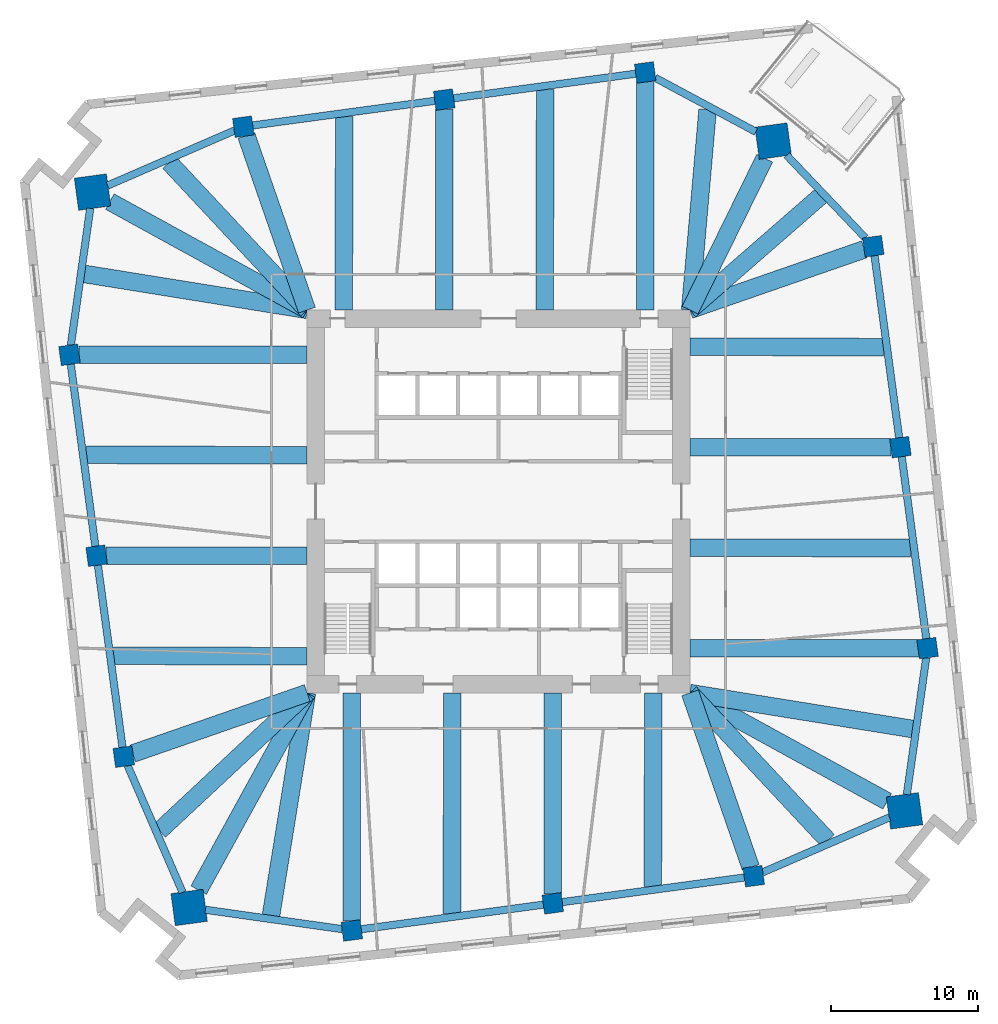
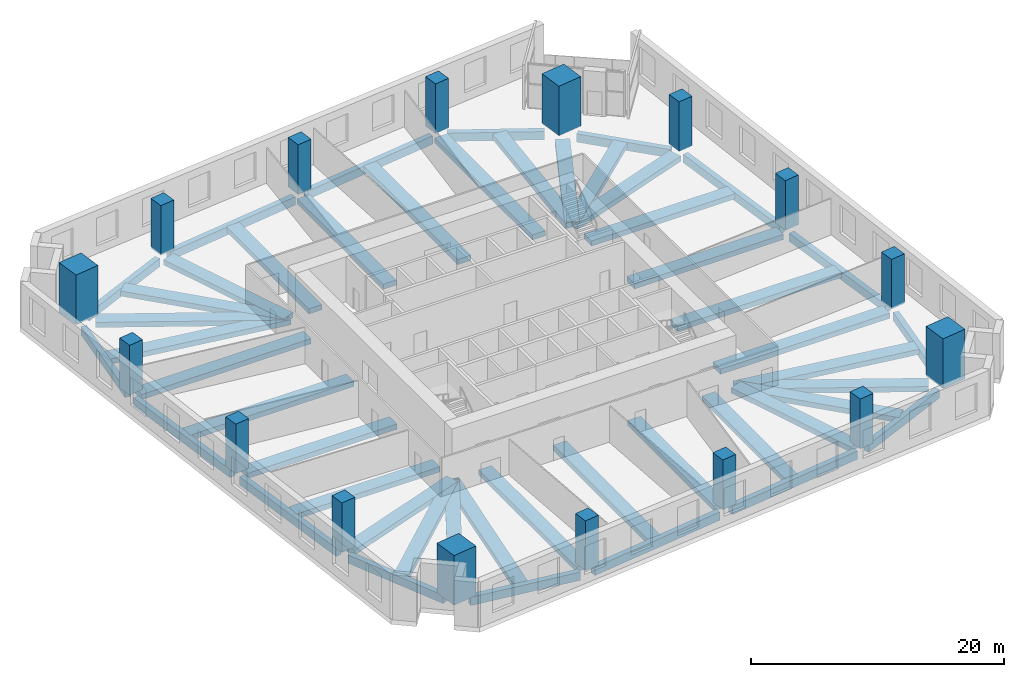
# One storey, part 1 of 10: 48 beams, 16 columns.
"""IFC4 building model written with IfcOpenShell, lengths in metres."""

from ifc_helpers import new_model, si_unit, direction, frame, origin, origin_2d, place, context, subcontext, project, spatial, rectangle, extrude, material, material_profile, profile_set, type_object, element, save


model = new_model("IFC4")

# Units and contexts
model_context = context("Model", 3, precision=1e-05, world=origin(), true_north=direction((0.0, 1.0)))
body_context = subcontext(model_context, "Body", "Model", "MODEL_VIEW")
ifc_project = project(units=[si_unit("LENGTHUNIT", "METRE"), si_unit("AREAUNIT", "SQUARE_METRE"), si_unit("VOLUMEUNIT", "CUBIC_METRE"), si_unit("PLANEANGLEUNIT", "RADIAN"), si_unit("MASSUNIT", "GRAM", prefix="KILO")], contexts=[model_context])

# Site, building, storey
site_placement = place(None, origin())
site = spatial("IfcSite", under=ifc_project, at=site_placement, CompositionType="ELEMENT")
building_placement = place(site_placement, origin())
building = spatial("IfcBuilding", under=site, at=building_placement, Name="Dilmun Exchange Tower", CompositionType="ELEMENT")
storey_placement = place(building_placement, frame((0.0, 0.0, 46.5)))
storey = spatial("IfcBuildingStorey", under=building, at=storey_placement, Name="L10", CompositionType="ELEMENT", Elevation=46.5)

# Columns
ifc_material_1 = material(Name="Concrete C80/95", Category="concrete")
ifc_material_profile_1 = material_profile(ifc_material_1, rectangle(XDim=2.199951171875, YDim=2.199951171875, at=origin_2d()), Name="2200 x 2200")
ifc_profile_set_1 = profile_set([ifc_material_profile_1], Name="Concrete C80/95")
column_type_1 = type_object("IfcColumnType", Name="RC mega column 2200 x 2200 C80/95", PredefinedType="COLUMN", material=ifc_profile_set_1)
for number, where, z_axis, x_axis, name in (
    (1, (18.6220703125, 24.43701171875, 0.0), (0.0, 0.0, 1.0), (0.991001197216, 0.133853005627, 0.0), "Mega column M1"),
    (2, (-27.531005859375, 20.97900390625, 0.0), (0.0, 0.0, 1.0), (0.991001197216, 0.133853005627, 0.0), "Mega column M2"),
    (3, (-20.97900390625, -27.531005859375, 0.0), (0.0, 0.0, 1.0), (0.991001197216, 0.133853005627, 0.0), "Mega column M3"),
    (4, (27.531005859375, -20.97900390625, 0.0), (0.0, 0.0, 1.0), (0.991001197216, 0.133853005627, 0.0), "Mega column M4"),
):
    element("IfcColumn", number, at=place(storey_placement, frame(where, z_axis=z_axis, x_axis=x_axis)), inside=storey, type_object=column_type_1, Name=name, PredefinedType="COLUMN", context=body_context, shape_type="SweptSolid", body=[
        extrude(rectangle(XDim=2.199951171875, YDim=2.199951171875, at=origin_2d()), origin(), (0.0, 0.0, 1.0), 4.800048828125),
    ])
ifc_material_profile_2 = material_profile(ifc_material_1, rectangle(XDim=1.300048828125, YDim=1.300048828125, at=origin_2d()), Name="1300 x 1300")
ifc_profile_set_2 = profile_set([ifc_material_profile_2], Name="Concrete C80/95")
column_type_2 = type_object("IfcColumnType", Name="RC ring column 1300 x 1300 C80/95", PredefinedType="COLUMN", material=ifc_profile_set_2)
for number, where, z_axis, x_axis, name in (
    (5, (9.945068359375, 29.093017578125, 0.0), (0.0, 0.0, 1.0), (0.991001197216, 0.133853005627, 0.0), "Ring column R01"),
    (6, (-3.680908203125, 27.2529296875, 0.0), (0.0, 0.0, 1.0), (0.991001197216, 0.133853005627, 0.0), "Ring column R02"),
    (7, (-17.306884765625, 25.412109375, 0.0), (0.0, 0.0, 1.0), (0.991001197216, 0.133853005627, 0.0), "Ring column R03"),
    (8, (-29.093017578125, 9.945068359375, 0.0), (0.0, 0.0, 1.0), (0.991001197216, 0.133853005627, 0.0), "Ring column R04"),
    (9, (-27.2529296875, -3.680908203125, 0.0), (0.0, 0.0, 1.0), (0.991001197216, 0.133853005627, 0.0), "Ring column R05"),
    (10, (-25.412109375, -17.306884765625, 0.0), (0.0, 0.0, 1.0), (0.991001197216, 0.133853005627, 0.0), "Ring column R06"),
    (11, (-9.945068359375, -29.093017578125, 0.0), (0.0, 0.0, 1.0), (0.991001197216, 0.133853005627, 0.0), "Ring column R07"),
    (12, (3.680908203125, -27.2529296875, 0.0), (0.0, 0.0, 1.0), (0.991001197216, 0.133853005627, 0.0), "Ring column R08"),
    (13, (17.306884765625, -25.412109375, 0.0), (0.0, 0.0, 1.0), (0.991001197216, 0.133853005627, 0.0), "Ring column R09"),
    (14, (29.093017578125, -9.945068359375, 0.0), (0.0, 0.0, 1.0), (0.991001197216, 0.133853005627, 0.0), "Ring column R10"),
    (15, (27.2529296875, 3.680908203125, 0.0), (0.0, 0.0, 1.0), (0.991001197216, 0.133853005627, 0.0), "Ring column R11"),
    (16, (25.412109375, 17.306884765625, 0.0), (0.0, 0.0, 1.0), (0.991001197216, 0.133853005627, 0.0), "Ring column R12"),
):
    element("IfcColumn", number, at=place(storey_placement, frame(where, z_axis=z_axis, x_axis=x_axis)), inside=storey, type_object=column_type_2, Name=name, PredefinedType="COLUMN", context=body_context, shape_type="SweptSolid", body=[
        extrude(rectangle(XDim=1.300048828125, YDim=1.300048828125, at=origin_2d()), origin(), (0.0, 0.0, 1.0), 4.800048828125),
    ])

# Beams
ifc_material_2 = material(Name="Concrete C40/50", Category="concrete")
ifc_material_profile_3 = material_profile(ifc_material_2, rectangle(XDim=1.199951171875, YDim=0.5, at=origin_2d()), Name="1200 x 500")
ifc_profile_set_3 = profile_set([ifc_material_profile_3], Name="Concrete C40/50")
beam_type_1 = type_object("IfcBeamType", Name="RC band beam 1200 x 500 C40/50", PredefinedType="BEAM", material=ifc_profile_set_3)
beam_1_placement = place(storey_placement, frame((18.049560546875, 23.272216796875, -0.699951171875), z_axis=(-0.44116009834, -0.897428419225, 0.0), x_axis=(0.897428419225, -0.44116009834, 0.0)))
element("IfcBeam", 17, at=beam_1_placement, inside=storey, type_object=beam_type_1, Name="Band beam 1", PredefinedType="BEAM", context=body_context, shape_type="SweptSolid", body=[
    extrude(rectangle(XDim=1.199951171875, YDim=0.5, at=origin_2d()), origin(), (0.0, 0.0, 1.0), 11.47314453125),
])
beam_2_placement = place(storey_placement, frame((9.945068359375, 28.464111328125, -0.699951171875), z_axis=(0.0, -1.0, 0.0), x_axis=(1.0, 0.0, 0.0)))
element("IfcBeam", 18, at=beam_2_placement, inside=storey, type_object=beam_type_1, Name="Band beam 2", PredefinedType="BEAM", context=body_context, shape_type="SweptSolid", body=[
    extrude(rectangle(XDim=1.199951171875, YDim=0.5, at=origin_2d()), origin(), (0.0, 0.0, 1.0), 15.4912109375),
])
beam_3_placement = place(storey_placement, frame((-3.680908203125, 26.6240234375, -0.699951171875), z_axis=(0.0, -1.0, 0.0), x_axis=(1.0, 0.0, 0.0)))
element("IfcBeam", 19, at=beam_3_placement, inside=storey, type_object=beam_type_1, Name="Band beam 3", PredefinedType="BEAM", context=body_context, shape_type="SweptSolid", body=[
    extrude(rectangle(XDim=1.199951171875, YDim=0.5, at=origin_2d()), origin(), (0.0, 0.0, 1.0), 13.651123046875),
])
beam_4_placement = place(storey_placement, frame((-17.098388671875, 24.81103515625, -0.699951171875), z_axis=(0.327819910959, -0.94474023201, 0.0), x_axis=(0.94474023201, 0.327819910959, 0.0)))
element("IfcBeam", 20, at=beam_4_placement, inside=storey, type_object=beam_type_1, Name="Band beam 4", PredefinedType="BEAM", context=body_context, shape_type="SweptSolid", body=[
    extrude(rectangle(XDim=1.199951171875, YDim=0.5, at=origin_2d()), origin(), (0.0, 0.0, 1.0), 12.52880859375),
])
beam_5_placement = place(storey_placement, frame((-26.355712890625, 20.333740234375, -0.699951171875), z_axis=(0.876547324806, -0.481315683699, 0.0), x_axis=(0.481315683699, 0.876547324806, 0.0)))
element("IfcBeam", 21, at=beam_5_placement, inside=storey, type_object=beam_type_1, Name="Band beam 5", PredefinedType="BEAM", context=body_context, shape_type="SweptSolid", body=[
    extrude(rectangle(XDim=1.199951171875, YDim=0.5, at=origin_2d()), origin(), (0.0, 0.0, 1.0), 15.263671875),
])
beam_6_placement = place(storey_placement, frame((-28.464111328125, 9.945068359375, -0.699951171875), z_axis=(1.0, 0.0, 0.0), x_axis=(0.0, 1.0, 0.0)))
element("IfcBeam", 22, at=beam_6_placement, inside=storey, type_object=beam_type_1, Name="Band beam 6", PredefinedType="BEAM", context=body_context, shape_type="SweptSolid", body=[
    extrude(rectangle(XDim=1.199951171875, YDim=0.5, at=origin_2d()), origin(), (0.0, 0.0, 1.0), 15.4912109375),
])
beam_7_placement = place(storey_placement, frame((-26.6240234375, -3.680908203125, -0.699951171875), z_axis=(1.0, 0.0, 0.0), x_axis=(0.0, 1.0, 0.0)))
element("IfcBeam", 23, at=beam_7_placement, inside=storey, type_object=beam_type_1, Name="Band beam 7", PredefinedType="BEAM", context=body_context, shape_type="SweptSolid", body=[
    extrude(rectangle(XDim=1.199951171875, YDim=0.5, at=origin_2d()), origin(), (0.0, 0.0, 1.0), 13.651123046875),
])
beam_8_placement = place(storey_placement, frame((-24.81103515625, -17.098388671875, -0.699951171875), z_axis=(0.94474023201, 0.327819910959, 0.0), x_axis=(-0.327819910959, 0.94474023201, 0.0)))
element("IfcBeam", 24, at=beam_8_placement, inside=storey, type_object=beam_type_1, Name="Band beam 8", PredefinedType="BEAM", context=body_context, shape_type="SweptSolid", body=[
    extrude(rectangle(XDim=1.199951171875, YDim=0.5, at=origin_2d()), origin(), (0.0, 0.0, 1.0), 12.52880859375),
])
beam_9_placement = place(storey_placement, frame((-20.333740234375, -26.355712890625, -0.699951171875), z_axis=(0.481315683699, 0.876547324806, 0.0), x_axis=(-0.876547324806, 0.481315683699, 0.0)))
element("IfcBeam", 25, at=beam_9_placement, inside=storey, type_object=beam_type_1, Name="Band beam 9", PredefinedType="BEAM", context=body_context, shape_type="SweptSolid", body=[
    extrude(rectangle(XDim=1.199951171875, YDim=0.5, at=origin_2d()), origin(), (0.0, 0.0, 1.0), 15.263671875),
])
beam_10_placement = place(storey_placement, frame((-9.945068359375, -28.464111328125, -0.699951171875), z_axis=(0.0, 1.0, 0.0), x_axis=(-1.0, 0.0, 0.0)))
element("IfcBeam", 26, at=beam_10_placement, inside=storey, type_object=beam_type_1, Name="Band beam 10", PredefinedType="BEAM", context=body_context, shape_type="SweptSolid", body=[
    extrude(rectangle(XDim=1.199951171875, YDim=0.5, at=origin_2d()), origin(), (0.0, 0.0, 1.0), 15.4912109375),
])
beam_11_placement = place(storey_placement, frame((3.680908203125, -26.6240234375, -0.699951171875), z_axis=(0.0, 1.0, 0.0), x_axis=(-1.0, 0.0, 0.0)))
element("IfcBeam", 27, at=beam_11_placement, inside=storey, type_object=beam_type_1, Name="Band beam 11", PredefinedType="BEAM", context=body_context, shape_type="SweptSolid", body=[
    extrude(rectangle(XDim=1.199951171875, YDim=0.5, at=origin_2d()), origin(), (0.0, 0.0, 1.0), 13.651123046875),
])
beam_12_placement = place(storey_placement, frame((17.098388671875, -24.81103515625, -0.699951171875), z_axis=(-0.327819910959, 0.94474023201, 0.0), x_axis=(-0.94474023201, -0.327819910959, 0.0)))
element("IfcBeam", 28, at=beam_12_placement, inside=storey, type_object=beam_type_1, Name="Band beam 12", PredefinedType="BEAM", context=body_context, shape_type="SweptSolid", body=[
    extrude(rectangle(XDim=1.199951171875, YDim=0.5, at=origin_2d()), origin(), (0.0, 0.0, 1.0), 12.52880859375),
])
beam_13_placement = place(storey_placement, frame((26.355712890625, -20.333740234375, -0.699951171875), z_axis=(-0.876547324806, 0.481315683699, 0.0), x_axis=(-0.481315683699, -0.876547324806, 0.0)))
element("IfcBeam", 29, at=beam_13_placement, inside=storey, type_object=beam_type_1, Name="Band beam 13", PredefinedType="BEAM", context=body_context, shape_type="SweptSolid", body=[
    extrude(rectangle(XDim=1.199951171875, YDim=0.5, at=origin_2d()), origin(), (0.0, 0.0, 1.0), 15.263671875),
])
beam_14_placement = place(storey_placement, frame((28.464111328125, -9.945068359375, -0.699951171875), z_axis=(-1.0, 0.0, 0.0), x_axis=(0.0, -1.0, 0.0)))
element("IfcBeam", 30, at=beam_14_placement, inside=storey, type_object=beam_type_1, Name="Band beam 14", PredefinedType="BEAM", context=body_context, shape_type="SweptSolid", body=[
    extrude(rectangle(XDim=1.199951171875, YDim=0.5, at=origin_2d()), origin(), (0.0, 0.0, 1.0), 15.4912109375),
])
beam_15_placement = place(storey_placement, frame((26.6240234375, 3.680908203125, -0.699951171875), z_axis=(-1.0, 0.0, 0.0), x_axis=(0.0, -1.0, 0.0)))
element("IfcBeam", 31, at=beam_15_placement, inside=storey, type_object=beam_type_1, Name="Band beam 15", PredefinedType="BEAM", context=body_context, shape_type="SweptSolid", body=[
    extrude(rectangle(XDim=1.199951171875, YDim=0.5, at=origin_2d()), origin(), (0.0, 0.0, 1.0), 13.651123046875),
])
beam_16_placement = place(storey_placement, frame((24.81103515625, 17.098388671875, -0.699951171875), z_axis=(-0.94474023201, -0.327819910959, 0.0), x_axis=(0.327819910959, -0.94474023201, 0.0)))
element("IfcBeam", 32, at=beam_16_placement, inside=storey, type_object=beam_type_1, Name="Band beam 16", PredefinedType="BEAM", context=body_context, shape_type="SweptSolid", body=[
    extrude(rectangle(XDim=1.199951171875, YDim=0.5, at=origin_2d()), origin(), (0.0, 0.0, 1.0), 12.52880859375),
])
beam_17_placement = place(storey_placement, frame((14.177978515625, 26.568603515625, -0.699951171875), z_axis=(-0.086499148019, -0.996251924662, 0.0), x_axis=(0.996251924662, -0.086499148019, 0.0)))
element("IfcBeam", 33, at=beam_17_placement, inside=storey, type_object=beam_type_1, Name="Band beam 17", PredefinedType="BEAM", context=body_context, shape_type="SweptSolid", body=[
    extrude(rectangle(XDim=1.199951171875, YDim=0.5, at=origin_2d()), origin(), (0.0, 0.0, 1.0), 13.646728515625),
])
beam_18_placement = place(storey_placement, frame((3.161865234375, 27.951904296875, -0.699951171875), z_axis=(-0.001988456479, -0.999998023018, 0.0), x_axis=(0.999998023018, -0.001988456479, 0.0)))
element("IfcBeam", 34, at=beam_18_placement, inside=storey, type_object=beam_type_1, Name="Band beam 18", PredefinedType="BEAM", context=body_context, shape_type="SweptSolid", body=[
    extrude(rectangle(XDim=1.199951171875, YDim=0.5, at=origin_2d()), origin(), (0.0, 0.0, 1.0), 14.97900390625),
])
beam_19_placement = place(storey_placement, frame((-10.464111328125, 26.111572265625, -0.699951171875), z_axis=(-0.002266977971, -0.999997430402, 0.0), x_axis=(0.999997430402, -0.002266977971, 0.0)))
element("IfcBeam", 35, at=beam_19_placement, inside=storey, type_object=beam_type_1, Name="Band beam 19", PredefinedType="BEAM", context=body_context, shape_type="SweptSolid", body=[
    extrude(rectangle(XDim=1.199951171875, YDim=0.5, at=origin_2d()), origin(), (0.0, 0.0, 1.0), 13.138671875),
])
beam_20_placement = place(storey_placement, frame((-22.330322265625, 22.990966796875, -0.699951171875), z_axis=(0.682523984798, -0.730863195253, 0.0), x_axis=(0.730863195253, 0.682523984798, 0.0)))
element("IfcBeam", 36, at=beam_20_placement, inside=storey, type_object=beam_type_1, Name="Band beam 20", PredefinedType="BEAM", context=body_context, shape_type="SweptSolid", body=[
    extrude(rectangle(XDim=1.199951171875, YDim=0.5, at=origin_2d()), origin(), (0.0, 0.0, 1.0), 13.697265625),
])
beam_21_placement = place(storey_placement, frame((-28.09130859375, 15.4306640625, -0.699951171875), z_axis=(0.98727513595, -0.159021400868, 0.0), x_axis=(0.159021400868, 0.98727513595, 0.0)))
element("IfcBeam", 37, at=beam_21_placement, inside=storey, type_object=beam_type_1, Name="Band beam 21", PredefinedType="BEAM", context=body_context, shape_type="SweptSolid", body=[
    extrude(rectangle(XDim=1.199951171875, YDim=0.5, at=origin_2d()), origin(), (0.0, 0.0, 1.0), 15.312744140625),
])
beam_22_placement = place(storey_placement, frame((-27.951904296875, 3.161865234375, -0.699951171875), z_axis=(0.999998023018, -0.001988456479, 0.0), x_axis=(0.001988456479, 0.999998023018, 0.0)))
element("IfcBeam", 38, at=beam_22_placement, inside=storey, type_object=beam_type_1, Name="Band beam 22", PredefinedType="BEAM", context=body_context, shape_type="SweptSolid", body=[
    extrude(rectangle(XDim=1.199951171875, YDim=0.5, at=origin_2d()), origin(), (0.0, 0.0, 1.0), 14.97900390625),
])
beam_23_placement = place(storey_placement, frame((-26.111572265625, -10.464111328125, -0.699951171875), z_axis=(0.999997430402, -0.002266977971, 0.0), x_axis=(0.002266977971, 0.999997430402, 0.0)))
element("IfcBeam", 39, at=beam_23_placement, inside=storey, type_object=beam_type_1, Name="Band beam 23", PredefinedType="BEAM", context=body_context, shape_type="SweptSolid", body=[
    extrude(rectangle(XDim=1.199951171875, YDim=0.5, at=origin_2d()), origin(), (0.0, 0.0, 1.0), 13.138671875),
])
beam_24_placement = place(storey_placement, frame((-22.990966796875, -22.330322265625, -0.699951171875), z_axis=(0.730863195253, 0.682523984798, 0.0), x_axis=(-0.682523984798, 0.730863195253, 0.0)))
element("IfcBeam", 40, at=beam_24_placement, inside=storey, type_object=beam_type_1, Name="Band beam 24", PredefinedType="BEAM", context=body_context, shape_type="SweptSolid", body=[
    extrude(rectangle(XDim=1.199951171875, YDim=0.5, at=origin_2d()), origin(), (0.0, 0.0, 1.0), 13.697265625),
])
beam_25_placement = place(storey_placement, frame((-15.4306640625, -28.09130859375, -0.699951171875), z_axis=(0.159021400868, 0.98727513595, 0.0), x_axis=(-0.98727513595, 0.159021400868, 0.0)))
element("IfcBeam", 41, at=beam_25_placement, inside=storey, type_object=beam_type_1, Name="Band beam 25", PredefinedType="BEAM", context=body_context, shape_type="SweptSolid", body=[
    extrude(rectangle(XDim=1.199951171875, YDim=0.5, at=origin_2d()), origin(), (0.0, 0.0, 1.0), 15.312744140625),
])
beam_26_placement = place(storey_placement, frame((-3.161865234375, -27.951904296875, -0.699951171875), z_axis=(0.001988456479, 0.999998023018, 0.0), x_axis=(-0.999998023018, 0.001988456479, 0.0)))
element("IfcBeam", 42, at=beam_26_placement, inside=storey, type_object=beam_type_1, Name="Band beam 26", PredefinedType="BEAM", context=body_context, shape_type="SweptSolid", body=[
    extrude(rectangle(XDim=1.199951171875, YDim=0.5, at=origin_2d()), origin(), (0.0, 0.0, 1.0), 14.97900390625),
])
beam_27_placement = place(storey_placement, frame((10.464111328125, -26.111572265625, -0.699951171875), z_axis=(0.002266977971, 0.999997430402, 0.0), x_axis=(-0.999997430402, 0.002266977971, 0.0)))
element("IfcBeam", 43, at=beam_27_placement, inside=storey, type_object=beam_type_1, Name="Band beam 27", PredefinedType="BEAM", context=body_context, shape_type="SweptSolid", body=[
    extrude(rectangle(XDim=1.199951171875, YDim=0.5, at=origin_2d()), origin(), (0.0, 0.0, 1.0), 13.138671875),
])
beam_28_placement = place(storey_placement, frame((22.330322265625, -22.990966796875, -0.699951171875), z_axis=(-0.682523984798, 0.730863195253, 0.0), x_axis=(-0.730863195253, -0.682523984798, 0.0)))
element("IfcBeam", 44, at=beam_28_placement, inside=storey, type_object=beam_type_1, Name="Band beam 28", PredefinedType="BEAM", context=body_context, shape_type="SweptSolid", body=[
    extrude(rectangle(XDim=1.199951171875, YDim=0.5, at=origin_2d()), origin(), (0.0, 0.0, 1.0), 13.697265625),
])
beam_29_placement = place(storey_placement, frame((28.09130859375, -15.4306640625, -0.699951171875), z_axis=(-0.98727513595, 0.159021400868, 0.0), x_axis=(-0.159021400868, -0.98727513595, 0.0)))
element("IfcBeam", 45, at=beam_29_placement, inside=storey, type_object=beam_type_1, Name="Band beam 29", PredefinedType="BEAM", context=body_context, shape_type="SweptSolid", body=[
    extrude(rectangle(XDim=1.199951171875, YDim=0.5, at=origin_2d()), origin(), (0.0, 0.0, 1.0), 15.312744140625),
])
beam_30_placement = place(storey_placement, frame((27.951904296875, -3.161865234375, -0.699951171875), z_axis=(-0.999998023018, 0.001988456479, 0.0), x_axis=(-0.001988456479, -0.999998023018, 0.0)))
element("IfcBeam", 46, at=beam_30_placement, inside=storey, type_object=beam_type_1, Name="Band beam 30", PredefinedType="BEAM", context=body_context, shape_type="SweptSolid", body=[
    extrude(rectangle(XDim=1.199951171875, YDim=0.5, at=origin_2d()), origin(), (0.0, 0.0, 1.0), 14.97900390625),
])
beam_31_placement = place(storey_placement, frame((26.111572265625, 10.464111328125, -0.699951171875), z_axis=(-0.999997430402, 0.002266977971, 0.0), x_axis=(-0.002266977971, -0.999997430402, 0.0)))
element("IfcBeam", 47, at=beam_31_placement, inside=storey, type_object=beam_type_1, Name="Band beam 31", PredefinedType="BEAM", context=body_context, shape_type="SweptSolid", body=[
    extrude(rectangle(XDim=1.199951171875, YDim=0.5, at=origin_2d()), origin(), (0.0, 0.0, 1.0), 13.138671875),
])
beam_32_placement = place(storey_placement, frame((21.85546875, 20.71826171875, -0.699951171875), z_axis=(-0.75384567582, -0.657051517803, 0.0), x_axis=(0.657051517803, -0.75384567582, 0.0)))
element("IfcBeam", 48, at=beam_32_placement, inside=storey, type_object=beam_type_1, Name="Band beam 32", PredefinedType="BEAM", context=body_context, shape_type="SweptSolid", body=[
    extrude(rectangle(XDim=1.199951171875, YDim=0.5, at=origin_2d()), origin(), (0.0, 0.0, 1.0), 11.77392578125),
])
ifc_material_profile_4 = material_profile(ifc_material_2, rectangle(XDim=0.5, YDim=0.800048828125, at=origin_2d()), Name="500 x 800")
ifc_profile_set_4 = profile_set([ifc_material_profile_4], Name="Concrete C40/50")
beam_type_2 = type_object("IfcBeamType", Name="RC ring beam 500 x 800 C40/50", PredefinedType="SPANDREL", material=ifc_profile_set_4)
beam_33_placement = place(storey_placement, frame((17.44921875, 25.06640625, -0.85009765625), z_axis=(-0.881161870548, 0.472814718354, 0.0), x_axis=(-0.472814718354, -0.881161870548, 0.0)))
element("IfcBeam", 49, at=beam_33_placement, inside=storey, type_object=beam_type_2, Name="Ring beam 1", PredefinedType="SPANDREL", context=body_context, shape_type="SweptSolid", body=[
    extrude(rectangle(XDim=0.5, YDim=0.800048828125, at=origin_2d()), origin(), (0.0, 0.0, 1.0), 7.74072265625),
])
for number, where, z_axis, x_axis, name in (
    (50, (9.32763671875, 29.009521484375, -0.85009765625), (-0.991007411355, -0.133806990248, 0.0), (0.133806990248, -0.991007411355, 0.0), "Ring beam 2"),
    (51, (-4.29833984375, 27.169677734375, -0.85009765625), (-0.990994461239, -0.133902867012, 0.0), (0.133902867012, -0.990994461239, 0.0), "Ring beam 3"),
):
    element("IfcBeam", number, at=place(storey_placement, frame(where, z_axis=z_axis, x_axis=x_axis)), inside=storey, type_object=beam_type_2, Name=name, PredefinedType="SPANDREL", context=body_context, shape_type="SweptSolid", body=[
        extrude(rectangle(XDim=0.5, YDim=0.800048828125, at=origin_2d()), origin(), (0.0, 0.0, 1.0), 12.50390625),
    ])
beam_34_placement = place(storey_placement, frame((-17.90185546875, 25.154052734375, -0.85009765625), z_axis=(-0.917467286901, -0.397811233459, 0.0), x_axis=(0.397811233459, -0.917467286901, 0.0)))
element("IfcBeam", 52, at=beam_34_placement, inside=storey, type_object=beam_type_2, Name="Ring beam 4", PredefinedType="SPANDREL", context=body_context, shape_type="SweptSolid", body=[
    extrude(rectangle(XDim=0.5, YDim=0.800048828125, at=origin_2d()), origin(), (0.0, 0.0, 1.0), 9.37939453125),
])
beam_35_placement = place(storey_placement, frame((-27.6875, 19.8740234375, -0.85009765625), z_axis=(-0.140164060375, -0.990128292788, 0.0), x_axis=(0.990128292788, -0.140164060375, 0.0)))
element("IfcBeam", 53, at=beam_35_placement, inside=storey, type_object=beam_type_2, Name="Ring beam 5", PredefinedType="SPANDREL", context=body_context, shape_type="SweptSolid", body=[
    extrude(rectangle(XDim=0.5, YDim=0.800048828125, at=origin_2d()), origin(), (0.0, 0.0, 1.0), 9.379638671875),
])
for number, where, z_axis, x_axis, name in (
    (54, (-29.009521484375, 9.32763671875, -0.85009765625), (0.133806990248, -0.991007411355, 0.0), (0.991007411355, 0.133806990248, 0.0), "Ring beam 6"),
    (55, (-27.169677734375, -4.29833984375, -0.85009765625), (0.133902867012, -0.990994461239, 0.0), (0.990994461239, 0.133902867012, 0.0), "Ring beam 7"),
):
    element("IfcBeam", number, at=place(storey_placement, frame(where, z_axis=z_axis, x_axis=x_axis)), inside=storey, type_object=beam_type_2, Name=name, PredefinedType="SPANDREL", context=body_context, shape_type="SweptSolid", body=[
        extrude(rectangle(XDim=0.5, YDim=0.800048828125, at=origin_2d()), origin(), (0.0, 0.0, 1.0), 12.50390625),
    ])
beam_36_placement = place(storey_placement, frame((-25.154052734375, -17.90185546875, -0.85009765625), z_axis=(0.397811233459, -0.917467286901, 0.0), x_axis=(0.917467286901, 0.397811233459, 0.0)))
element("IfcBeam", 56, at=beam_36_placement, inside=storey, type_object=beam_type_2, Name="Ring beam 8", PredefinedType="SPANDREL", context=body_context, shape_type="SweptSolid", body=[
    extrude(rectangle(XDim=0.5, YDim=0.800048828125, at=origin_2d()), origin(), (0.0, 0.0, 1.0), 9.37939453125),
])
beam_37_placement = place(storey_placement, frame((-19.8740234375, -27.6875, -0.85009765625), z_axis=(0.990128292788, -0.140164060375, 0.0), x_axis=(0.140164060375, 0.990128292788, 0.0)))
element("IfcBeam", 57, at=beam_37_placement, inside=storey, type_object=beam_type_2, Name="Ring beam 9", PredefinedType="SPANDREL", context=body_context, shape_type="SweptSolid", body=[
    extrude(rectangle(XDim=0.5, YDim=0.800048828125, at=origin_2d()), origin(), (0.0, 0.0, 1.0), 9.379638671875),
])
for number, where, z_axis, x_axis, name in (
    (58, (-9.32763671875, -29.009521484375, -0.85009765625), (0.991007411355, 0.133806990248, 0.0), (-0.133806990248, 0.991007411355, 0.0), "Ring beam 10"),
    (59, (4.29833984375, -27.169677734375, -0.85009765625), (0.990994461239, 0.133902867012, 0.0), (-0.133902867012, 0.990994461239, 0.0), "Ring beam 11"),
):
    element("IfcBeam", number, at=place(storey_placement, frame(where, z_axis=z_axis, x_axis=x_axis)), inside=storey, type_object=beam_type_2, Name=name, PredefinedType="SPANDREL", context=body_context, shape_type="SweptSolid", body=[
        extrude(rectangle(XDim=0.5, YDim=0.800048828125, at=origin_2d()), origin(), (0.0, 0.0, 1.0), 12.50390625),
    ])
beam_38_placement = place(storey_placement, frame((17.90185546875, -25.154052734375, -0.85009765625), z_axis=(0.917467286901, 0.397811233459, 0.0), x_axis=(-0.397811233459, 0.917467286901, 0.0)))
element("IfcBeam", 60, at=beam_38_placement, inside=storey, type_object=beam_type_2, Name="Ring beam 12", PredefinedType="SPANDREL", context=body_context, shape_type="SweptSolid", body=[
    extrude(rectangle(XDim=0.5, YDim=0.800048828125, at=origin_2d()), origin(), (0.0, 0.0, 1.0), 9.37939453125),
])
beam_39_placement = place(storey_placement, frame((27.6875, -19.8740234375, -0.85009765625), z_axis=(0.140164060375, 0.990128292788, 0.0), x_axis=(-0.990128292788, 0.140164060375, 0.0)))
element("IfcBeam", 61, at=beam_39_placement, inside=storey, type_object=beam_type_2, Name="Ring beam 13", PredefinedType="SPANDREL", context=body_context, shape_type="SweptSolid", body=[
    extrude(rectangle(XDim=0.5, YDim=0.800048828125, at=origin_2d()), origin(), (0.0, 0.0, 1.0), 9.379638671875),
])
for number, where, z_axis, x_axis, name in (
    (62, (29.009521484375, -9.32763671875, -0.85009765625), (-0.133806990248, 0.991007411355, 0.0), (-0.991007411355, -0.133806990248, 0.0), "Ring beam 14"),
    (63, (27.169677734375, 4.29833984375, -0.85009765625), (-0.133902867012, 0.990994461239, 0.0), (-0.990994461239, -0.133902867012, 0.0), "Ring beam 15"),
):
    element("IfcBeam", number, at=place(storey_placement, frame(where, z_axis=z_axis, x_axis=x_axis)), inside=storey, type_object=beam_type_2, Name=name, PredefinedType="SPANDREL", context=body_context, shape_type="SweptSolid", body=[
        extrude(rectangle(XDim=0.5, YDim=0.800048828125, at=origin_2d()), origin(), (0.0, 0.0, 1.0), 12.50390625),
    ])
beam_40_placement = place(storey_placement, frame((24.877197265625, 17.86865234375, -0.85009765625), z_axis=(-0.689624451134, 0.724167188154, 0.0), x_axis=(-0.724167188154, -0.689624451134, 0.0)))
element("IfcBeam", 64, at=beam_40_placement, inside=storey, type_object=beam_type_2, Name="Ring beam 16", PredefinedType="SPANDREL", context=body_context, shape_type="SweptSolid", body=[
    extrude(rectangle(XDim=0.5, YDim=0.800048828125, at=origin_2d()), origin(), (0.0, 0.0, 1.0), 7.7392578125),
])

save(model, "model.ifc")
